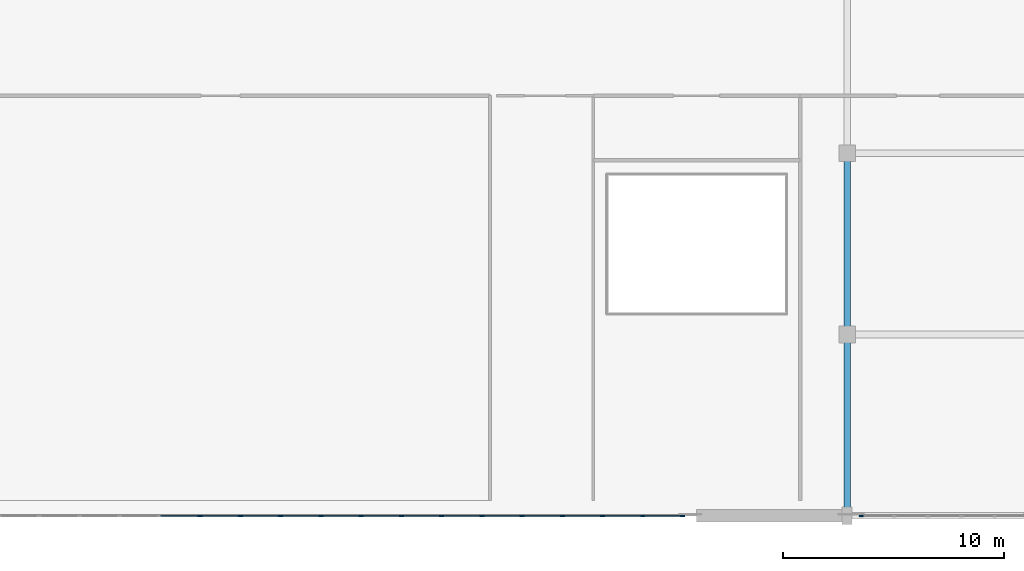
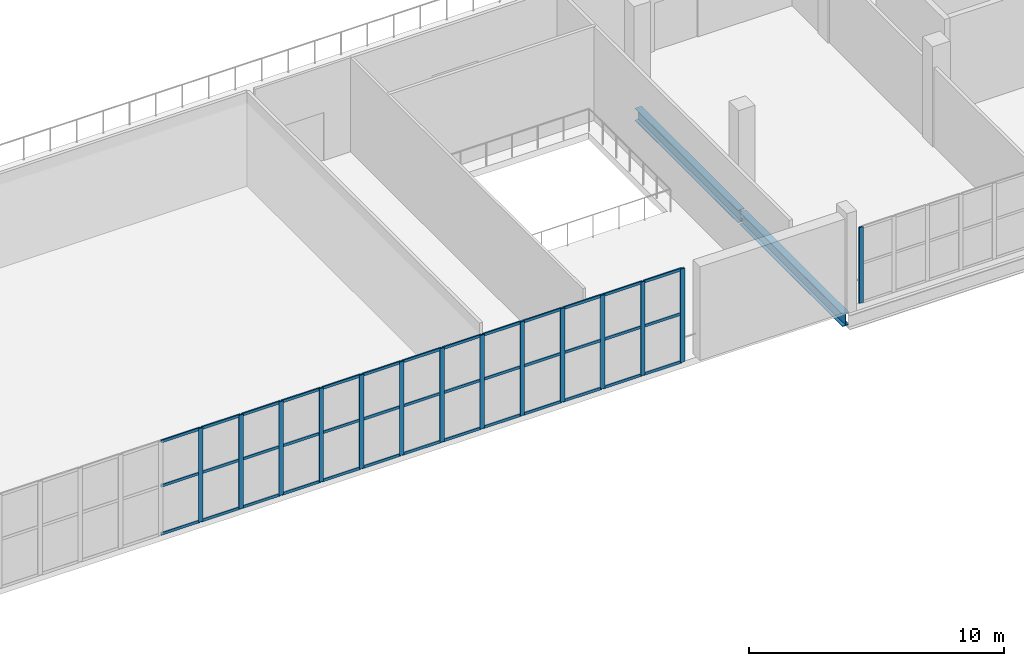
# One storey, part 32 of 129: 53 members, 2 beams, 2 elements without a shape of their own.
"""IFC4 building model written with IfcOpenShell, lengths in metres."""

from ifc_helpers import new_model, si_unit, direction, frame, origin, origin_2d, place, context, subcontext, project, spatial, rectangle, i_section, extrude, material, material_profile, profile_set, type_object, element, aggregate, save


model = new_model("IFC4")

# Units and contexts
model_context = context("Model", 3, precision=1e-05, world=origin(), true_north=direction((0.0, 1.0)))
body_context = subcontext(model_context, "Body", "Model", "MODEL_VIEW")
ifc_project = project(units=[si_unit("LENGTHUNIT", "METRE"), si_unit("AREAUNIT", "SQUARE_METRE"), si_unit("VOLUMEUNIT", "CUBIC_METRE"), si_unit("PLANEANGLEUNIT", "RADIAN"), si_unit("MASSUNIT", "GRAM", prefix="KILO")], contexts=[model_context])

# Site, building, storey
site_placement = place(None, origin())
site = spatial("IfcSite", under=ifc_project, at=site_placement, CompositionType="ELEMENT")
building_placement = place(site_placement, origin())
building = spatial("IfcBuilding", under=site, at=building_placement, Name="Koshinbarg Plaza Stadium", CompositionType="ELEMENT")
storey_placement = place(building_placement, frame((0.0, 0.0, 5.39990234375)))
storey = spatial("IfcBuildingStorey", under=building, at=storey_placement, Name="L01", CompositionType="ELEMENT", Elevation=5.39990234375)

# Beams
ifc_material_1 = material(Name="Steel S355", Category="steel")
ifc_material_profile_1 = material_profile(ifc_material_1, i_section(OverallWidth=0.300048828125, OverallDepth=0.60009765625, WebThickness=0.015380859375, FlangeThickness=0.030029296875, at=origin_2d()), Name="HEB 600")
ifc_profile_set_1 = profile_set([ifc_material_profile_1], Name="Steel S355")
beam_type = type_object("IfcBeamType", Name="BM-SGIR-02", PredefinedType="USERDEFINED", material=ifc_profile_set_1)
beam_1_placement = place(storey_placement, frame((162.800048828125, 0.06005859375, -0.619873046875), z_axis=(0.0, 1.0, 0.0), x_axis=(-1.0, 0.0, 0.0)))
element("IfcBeam", 1, at=beam_1_placement, inside=storey, type_object=beam_type, Name="L01 Y girder 15/A-B", ObjectType="GIRDER", PredefinedType="USERDEFINED", context=body_context, shape_type="SweptSolid", body=[
    extrude(i_section(OverallWidth=0.300048828125, OverallDepth=0.60009765625, WebThickness=0.015380859375, FlangeThickness=0.030029296875, at=origin_2d()), origin(), (0.0, 0.0, 1.0), 8.079833984375),
])
beam_2_placement = place(storey_placement, frame((162.800048828125, 8.260009765625, -0.619873046875), z_axis=(0.0, 1.0, 0.0), x_axis=(-1.0, 0.0, 0.0)))
element("IfcBeam", 2, at=beam_2_placement, inside=storey, type_object=beam_type, Name="L01 Y girder 15/B-C", ObjectType="GIRDER", PredefinedType="USERDEFINED", context=body_context, shape_type="SweptSolid", body=[
    extrude(i_section(OverallWidth=0.300048828125, OverallDepth=0.60009765625, WebThickness=0.015380859375, FlangeThickness=0.030029296875, at=origin_2d()), origin(), (0.0, 0.0, 1.0), 8.080078125),
])

# Curtain wall, member
ifc_material_2 = material(Name="Thermally broken anodised aluminium and low-E double glazing", Category="aluminium")
curtain_wall_type_1 = type_object("IfcCurtainWallType", Name="CW-SYS-15", PredefinedType="NOTDEFINED", material=ifc_material_2)
curtain_wall_1_placement = place(storey_placement, origin())
curtain_wall_1 = element("IfcCurtainWall", 3, at=curtain_wall_1_placement, inside=storey, type_object=curtain_wall_type_1, Name="L01 unitised curtain wall CW-L01-030", PredefinedType="NOTDEFINED")
ifc_material_3 = material(Name="Anodised aluminium mullion", Category="aluminium")
ifc_material_profile_2 = material_profile(ifc_material_3, rectangle(XDim=0.070068359375, YDim=0.179931640625, at=origin_2d()), Name="ALU 70x180")
ifc_profile_set_2 = profile_set([ifc_material_profile_2], Name="Anodised aluminium mullion")
member_type_1 = type_object("IfcMemberType", Name="CW-MUL-03", PredefinedType="MULLION", material=ifc_profile_set_2)
member_1_placement = place(storey_placement, frame((163.449951171875, 0.0, 0.0), z_axis=(0.0, 0.0, 1.0), x_axis=(0.0, -1.0, 0.0)))
member_1 = element("IfcMember", 4, at=member_1_placement, type_object=member_type_1, Name="CW15 mullion 6", PredefinedType="MULLION", context=body_context, shape_type="SweptSolid", body=[
    extrude(rectangle(XDim=0.070068359375, YDim=0.179931640625, at=origin_2d()), origin(), (0.0, 0.0, 1.0), 3.630126953125),
])
aggregate(curtain_wall_1, [member_1])

# Curtain wall, members
curtain_wall_type_2 = type_object("IfcCurtainWallType", Name="CW-SYS-16", PredefinedType="NOTDEFINED", material=ifc_material_2)
curtain_wall_2_placement = place(storey_placement, origin())
curtain_wall_2 = element("IfcCurtainWall", 5, at=curtain_wall_2_placement, inside=storey, type_object=curtain_wall_type_2, Name="L01 unitised curtain wall CW-L01-031", PredefinedType="NOTDEFINED")
ifc_material_profile_3 = material_profile(ifc_material_3, rectangle(XDim=0.070068359375, YDim=0.199951171875, at=origin_2d()), Name="ALU 70x200")
ifc_profile_set_3 = profile_set([ifc_material_profile_3], Name="Anodised aluminium mullion")
member_type_2 = type_object("IfcMemberType", Name="CW-MUL-04", PredefinedType="MULLION", material=ifc_profile_set_3)
member_2_placement = place(storey_placement, frame((155.35009765625, 0.0, 0.0), z_axis=(0.0, 0.0, 1.0), x_axis=(0.0, -1.0, 0.0)))
member_2 = element("IfcMember", 6, at=member_2_placement, type_object=member_type_2, Name="CW16 mullion 1", PredefinedType="MULLION", context=body_context, shape_type="SweptSolid", body=[
    extrude(rectangle(XDim=0.070068359375, YDim=0.199951171875, at=origin_2d()), origin(), (0.0, 0.0, 1.0), 4.47998046875),
])
member_3_placement = place(storey_placement, frame((153.56005859375, 0.0, 0.0), z_axis=(0.0, 0.0, 1.0), x_axis=(0.0, -1.0, 0.0)))
member_3 = element("IfcMember", 7, at=member_3_placement, type_object=member_type_2, Name="CW16 mullion 2", PredefinedType="MULLION", context=body_context, shape_type="SweptSolid", body=[
    extrude(rectangle(XDim=0.070068359375, YDim=0.199951171875, at=origin_2d()), origin(), (0.0, 0.0, 1.0), 4.47998046875),
])
member_4_placement = place(storey_placement, frame((151.739990234375, 0.0, 0.0), z_axis=(0.0, 0.0, 1.0), x_axis=(0.0, -1.0, 0.0)))
member_4 = element("IfcMember", 8, at=member_4_placement, type_object=member_type_2, Name="CW16 mullion 3", PredefinedType="MULLION", context=body_context, shape_type="SweptSolid", body=[
    extrude(rectangle(XDim=0.070068359375, YDim=0.199951171875, at=origin_2d()), origin(), (0.0, 0.0, 1.0), 4.47998046875),
])
member_5_placement = place(storey_placement, frame((149.919921875, 0.0, 0.0), z_axis=(0.0, 0.0, 1.0), x_axis=(0.0, -1.0, 0.0)))
member_5 = element("IfcMember", 9, at=member_5_placement, type_object=member_type_2, Name="CW16 mullion 4", PredefinedType="MULLION", context=body_context, shape_type="SweptSolid", body=[
    extrude(rectangle(XDim=0.070068359375, YDim=0.199951171875, at=origin_2d()), origin(), (0.0, 0.0, 1.0), 4.47998046875),
])
member_6_placement = place(storey_placement, frame((148.10009765625, 0.0, 0.0), z_axis=(0.0, 0.0, 1.0), x_axis=(0.0, -1.0, 0.0)))
member_6 = element("IfcMember", 10, at=member_6_placement, type_object=member_type_2, Name="CW16 mullion 5", PredefinedType="MULLION", context=body_context, shape_type="SweptSolid", body=[
    extrude(rectangle(XDim=0.070068359375, YDim=0.199951171875, at=origin_2d()), origin(), (0.0, 0.0, 1.0), 4.47998046875),
])
member_7_placement = place(storey_placement, frame((146.280029296875, 0.0, 0.0), z_axis=(0.0, 0.0, 1.0), x_axis=(0.0, -1.0, 0.0)))
member_7 = element("IfcMember", 11, at=member_7_placement, type_object=member_type_2, Name="CW16 mullion 6", PredefinedType="MULLION", context=body_context, shape_type="SweptSolid", body=[
    extrude(rectangle(XDim=0.070068359375, YDim=0.199951171875, at=origin_2d()), origin(), (0.0, 0.0, 1.0), 4.47998046875),
])
member_8_placement = place(storey_placement, frame((144.4599609375, 0.0, 0.0), z_axis=(0.0, 0.0, 1.0), x_axis=(0.0, -1.0, 0.0)))
member_8 = element("IfcMember", 12, at=member_8_placement, type_object=member_type_2, Name="CW16 mullion 7", PredefinedType="MULLION", context=body_context, shape_type="SweptSolid", body=[
    extrude(rectangle(XDim=0.070068359375, YDim=0.199951171875, at=origin_2d()), origin(), (0.0, 0.0, 1.0), 4.47998046875),
])
member_9_placement = place(storey_placement, frame((142.639892578125, 0.0, 0.0), z_axis=(0.0, 0.0, 1.0), x_axis=(0.0, -1.0, 0.0)))
member_9 = element("IfcMember", 13, at=member_9_placement, type_object=member_type_2, Name="CW16 mullion 8", PredefinedType="MULLION", context=body_context, shape_type="SweptSolid", body=[
    extrude(rectangle(XDim=0.070068359375, YDim=0.199951171875, at=origin_2d()), origin(), (0.0, 0.0, 1.0), 4.47998046875),
])
member_10_placement = place(storey_placement, frame((140.820068359375, 0.0, 0.0), z_axis=(0.0, 0.0, 1.0), x_axis=(0.0, -1.0, 0.0)))
member_10 = element("IfcMember", 14, at=member_10_placement, type_object=member_type_2, Name="CW16 mullion 9", PredefinedType="MULLION", context=body_context, shape_type="SweptSolid", body=[
    extrude(rectangle(XDim=0.070068359375, YDim=0.199951171875, at=origin_2d()), origin(), (0.0, 0.0, 1.0), 4.47998046875),
])
member_11_placement = place(storey_placement, frame((139.0, 0.0, 0.0), z_axis=(0.0, 0.0, 1.0), x_axis=(0.0, -1.0, 0.0)))
member_11 = element("IfcMember", 15, at=member_11_placement, type_object=member_type_2, Name="CW16 mullion 10", PredefinedType="MULLION", context=body_context, shape_type="SweptSolid", body=[
    extrude(rectangle(XDim=0.070068359375, YDim=0.199951171875, at=origin_2d()), origin(), (0.0, 0.0, 1.0), 4.47998046875),
])
member_12_placement = place(storey_placement, frame((137.179931640625, 0.0, 0.0), z_axis=(0.0, 0.0, 1.0), x_axis=(0.0, -1.0, 0.0)))
member_12 = element("IfcMember", 16, at=member_12_placement, type_object=member_type_2, Name="CW16 mullion 11", PredefinedType="MULLION", context=body_context, shape_type="SweptSolid", body=[
    extrude(rectangle(XDim=0.070068359375, YDim=0.199951171875, at=origin_2d()), origin(), (0.0, 0.0, 1.0), 4.47998046875),
])
member_13_placement = place(storey_placement, frame((135.360107421875, 0.0, 0.0), z_axis=(0.0, 0.0, 1.0), x_axis=(0.0, -1.0, 0.0)))
member_13 = element("IfcMember", 17, at=member_13_placement, type_object=member_type_2, Name="CW16 mullion 12", PredefinedType="MULLION", context=body_context, shape_type="SweptSolid", body=[
    extrude(rectangle(XDim=0.070068359375, YDim=0.199951171875, at=origin_2d()), origin(), (0.0, 0.0, 1.0), 4.47998046875),
])
member_14_placement = place(storey_placement, frame((133.5400390625, 0.0, 0.0), z_axis=(0.0, 0.0, 1.0), x_axis=(0.0, -1.0, 0.0)))
member_14 = element("IfcMember", 18, at=member_14_placement, type_object=member_type_2, Name="CW16 mullion 13", PredefinedType="MULLION", context=body_context, shape_type="SweptSolid", body=[
    extrude(rectangle(XDim=0.070068359375, YDim=0.199951171875, at=origin_2d()), origin(), (0.0, 0.0, 1.0), 4.47998046875),
])
ifc_material_4 = material(Name="Anodised aluminium transom", Category="aluminium")
ifc_material_profile_4 = material_profile(ifc_material_4, rectangle(XDim=0.06005859375, YDim=0.1298828125, at=origin_2d()), Name="ALU 60x130")
ifc_profile_set_4 = profile_set([ifc_material_profile_4], Name="Anodised aluminium transom")
member_type_3 = type_object("IfcMemberType", Name="CW-TRN-02", PredefinedType="USERDEFINED", material=ifc_profile_set_4)
member_15_placement = place(storey_placement, frame((155.320068359375, 0.0, 0.030029296875), z_axis=(-1.0, 0.0, 0.0), x_axis=(0.0, -1.0, 0.0)))
member_15 = element("IfcMember", 19, at=member_15_placement, type_object=member_type_3, Name="CW16 transom 1.1", ObjectType="TRANSOM", PredefinedType="USERDEFINED", context=body_context, shape_type="SweptSolid", body=[
    extrude(rectangle(XDim=0.06005859375, YDim=0.1298828125, at=origin_2d()), origin(), (0.0, 0.0, 1.0), 1.72998046875),
])
member_16_placement = place(storey_placement, frame((155.320068359375, 0.0, 2.32958984375), z_axis=(-1.0, 0.0, 0.0), x_axis=(0.0, -1.0, 0.0)))
member_16 = element("IfcMember", 20, at=member_16_placement, type_object=member_type_3, Name="CW16 transom 1.2", ObjectType="TRANSOM", PredefinedType="USERDEFINED", context=body_context, shape_type="SweptSolid", body=[
    extrude(rectangle(XDim=0.06005859375, YDim=0.1298828125, at=origin_2d()), origin(), (0.0, 0.0, 1.0), 1.72998046875),
])
member_17_placement = place(storey_placement, frame((155.320068359375, 0.0, 4.4501953125), z_axis=(-1.0, 0.0, 0.0), x_axis=(0.0, -1.0, 0.0)))
member_17 = element("IfcMember", 21, at=member_17_placement, type_object=member_type_3, Name="CW16 transom 1.3", ObjectType="TRANSOM", PredefinedType="USERDEFINED", context=body_context, shape_type="SweptSolid", body=[
    extrude(rectangle(XDim=0.06005859375, YDim=0.1298828125, at=origin_2d()), origin(), (0.0, 0.0, 1.0), 1.72998046875),
])
member_18_placement = place(storey_placement, frame((153.530029296875, 0.0, 0.030029296875), z_axis=(-1.0, 0.0, 0.0), x_axis=(0.0, -1.0, 0.0)))
member_18 = element("IfcMember", 22, at=member_18_placement, type_object=member_type_3, Name="CW16 transom 2.1", ObjectType="TRANSOM", PredefinedType="USERDEFINED", context=body_context, shape_type="SweptSolid", body=[
    extrude(rectangle(XDim=0.06005859375, YDim=0.1298828125, at=origin_2d()), origin(), (0.0, 0.0, 1.0), 1.760009765625),
])
member_19_placement = place(storey_placement, frame((153.530029296875, 0.0, 2.32958984375), z_axis=(-1.0, 0.0, 0.0), x_axis=(0.0, -1.0, 0.0)))
member_19 = element("IfcMember", 23, at=member_19_placement, type_object=member_type_3, Name="CW16 transom 2.2", ObjectType="TRANSOM", PredefinedType="USERDEFINED", context=body_context, shape_type="SweptSolid", body=[
    extrude(rectangle(XDim=0.06005859375, YDim=0.1298828125, at=origin_2d()), origin(), (0.0, 0.0, 1.0), 1.760009765625),
])
member_20_placement = place(storey_placement, frame((153.530029296875, 0.0, 4.4501953125), z_axis=(-1.0, 0.0, 0.0), x_axis=(0.0, -1.0, 0.0)))
member_20 = element("IfcMember", 24, at=member_20_placement, type_object=member_type_3, Name="CW16 transom 2.3", ObjectType="TRANSOM", PredefinedType="USERDEFINED", context=body_context, shape_type="SweptSolid", body=[
    extrude(rectangle(XDim=0.06005859375, YDim=0.1298828125, at=origin_2d()), origin(), (0.0, 0.0, 1.0), 1.760009765625),
])
member_21_placement = place(storey_placement, frame((151.7099609375, 0.0, 0.030029296875), z_axis=(-1.0, 0.0, 0.0), x_axis=(0.0, -1.0, 0.0)))
member_21 = element("IfcMember", 25, at=member_21_placement, type_object=member_type_3, Name="CW16 transom 3.1", ObjectType="TRANSOM", PredefinedType="USERDEFINED", context=body_context, shape_type="SweptSolid", body=[
    extrude(rectangle(XDim=0.06005859375, YDim=0.1298828125, at=origin_2d()), origin(), (0.0, 0.0, 1.0), 1.760009765625),
])
member_22_placement = place(storey_placement, frame((151.7099609375, 0.0, 2.32958984375), z_axis=(-1.0, 0.0, 0.0), x_axis=(0.0, -1.0, 0.0)))
member_22 = element("IfcMember", 26, at=member_22_placement, type_object=member_type_3, Name="CW16 transom 3.2", ObjectType="TRANSOM", PredefinedType="USERDEFINED", context=body_context, shape_type="SweptSolid", body=[
    extrude(rectangle(XDim=0.06005859375, YDim=0.1298828125, at=origin_2d()), origin(), (0.0, 0.0, 1.0), 1.760009765625),
])
member_23_placement = place(storey_placement, frame((151.7099609375, 0.0, 4.4501953125), z_axis=(-1.0, 0.0, 0.0), x_axis=(0.0, -1.0, 0.0)))
member_23 = element("IfcMember", 27, at=member_23_placement, type_object=member_type_3, Name="CW16 transom 3.3", ObjectType="TRANSOM", PredefinedType="USERDEFINED", context=body_context, shape_type="SweptSolid", body=[
    extrude(rectangle(XDim=0.06005859375, YDim=0.1298828125, at=origin_2d()), origin(), (0.0, 0.0, 1.0), 1.760009765625),
])
member_24_placement = place(storey_placement, frame((149.889892578125, 0.0, 0.030029296875), z_axis=(-1.0, 0.0, 0.0), x_axis=(0.0, -1.0, 0.0)))
member_24 = element("IfcMember", 28, at=member_24_placement, type_object=member_type_3, Name="CW16 transom 4.1", ObjectType="TRANSOM", PredefinedType="USERDEFINED", context=body_context, shape_type="SweptSolid", body=[
    extrude(rectangle(XDim=0.06005859375, YDim=0.1298828125, at=origin_2d()), origin(), (0.0, 0.0, 1.0), 1.760009765625),
])
member_25_placement = place(storey_placement, frame((149.889892578125, 0.0, 2.32958984375), z_axis=(-1.0, 0.0, 0.0), x_axis=(0.0, -1.0, 0.0)))
member_25 = element("IfcMember", 29, at=member_25_placement, type_object=member_type_3, Name="CW16 transom 4.2", ObjectType="TRANSOM", PredefinedType="USERDEFINED", context=body_context, shape_type="SweptSolid", body=[
    extrude(rectangle(XDim=0.06005859375, YDim=0.1298828125, at=origin_2d()), origin(), (0.0, 0.0, 1.0), 1.760009765625),
])
member_26_placement = place(storey_placement, frame((149.889892578125, 0.0, 4.4501953125), z_axis=(-1.0, 0.0, 0.0), x_axis=(0.0, -1.0, 0.0)))
member_26 = element("IfcMember", 30, at=member_26_placement, type_object=member_type_3, Name="CW16 transom 4.3", ObjectType="TRANSOM", PredefinedType="USERDEFINED", context=body_context, shape_type="SweptSolid", body=[
    extrude(rectangle(XDim=0.06005859375, YDim=0.1298828125, at=origin_2d()), origin(), (0.0, 0.0, 1.0), 1.760009765625),
])
member_27_placement = place(storey_placement, frame((148.070068359375, 0.0, 0.030029296875), z_axis=(-1.0, 0.0, 0.0), x_axis=(0.0, -1.0, 0.0)))
member_27 = element("IfcMember", 31, at=member_27_placement, type_object=member_type_3, Name="CW16 transom 5.1", ObjectType="TRANSOM", PredefinedType="USERDEFINED", context=body_context, shape_type="SweptSolid", body=[
    extrude(rectangle(XDim=0.06005859375, YDim=0.1298828125, at=origin_2d()), origin(), (0.0, 0.0, 1.0), 1.760009765625),
])
member_28_placement = place(storey_placement, frame((148.070068359375, 0.0, 2.32958984375), z_axis=(-1.0, 0.0, 0.0), x_axis=(0.0, -1.0, 0.0)))
member_28 = element("IfcMember", 32, at=member_28_placement, type_object=member_type_3, Name="CW16 transom 5.2", ObjectType="TRANSOM", PredefinedType="USERDEFINED", context=body_context, shape_type="SweptSolid", body=[
    extrude(rectangle(XDim=0.06005859375, YDim=0.1298828125, at=origin_2d()), origin(), (0.0, 0.0, 1.0), 1.760009765625),
])
member_29_placement = place(storey_placement, frame((148.070068359375, 0.0, 4.4501953125), z_axis=(-1.0, 0.0, 0.0), x_axis=(0.0, -1.0, 0.0)))
member_29 = element("IfcMember", 33, at=member_29_placement, type_object=member_type_3, Name="CW16 transom 5.3", ObjectType="TRANSOM", PredefinedType="USERDEFINED", context=body_context, shape_type="SweptSolid", body=[
    extrude(rectangle(XDim=0.06005859375, YDim=0.1298828125, at=origin_2d()), origin(), (0.0, 0.0, 1.0), 1.760009765625),
])
member_30_placement = place(storey_placement, frame((146.25, 0.0, 0.030029296875), z_axis=(-1.0, 0.0, 0.0), x_axis=(0.0, -1.0, 0.0)))
member_30 = element("IfcMember", 34, at=member_30_placement, type_object=member_type_3, Name="CW16 transom 6.1", ObjectType="TRANSOM", PredefinedType="USERDEFINED", context=body_context, shape_type="SweptSolid", body=[
    extrude(rectangle(XDim=0.06005859375, YDim=0.1298828125, at=origin_2d()), origin(), (0.0, 0.0, 1.0), 1.760009765625),
])
member_31_placement = place(storey_placement, frame((146.25, 0.0, 2.32958984375), z_axis=(-1.0, 0.0, 0.0), x_axis=(0.0, -1.0, 0.0)))
member_31 = element("IfcMember", 35, at=member_31_placement, type_object=member_type_3, Name="CW16 transom 6.2", ObjectType="TRANSOM", PredefinedType="USERDEFINED", context=body_context, shape_type="SweptSolid", body=[
    extrude(rectangle(XDim=0.06005859375, YDim=0.1298828125, at=origin_2d()), origin(), (0.0, 0.0, 1.0), 1.760009765625),
])
member_32_placement = place(storey_placement, frame((146.25, 0.0, 4.4501953125), z_axis=(-1.0, 0.0, 0.0), x_axis=(0.0, -1.0, 0.0)))
member_32 = element("IfcMember", 36, at=member_32_placement, type_object=member_type_3, Name="CW16 transom 6.3", ObjectType="TRANSOM", PredefinedType="USERDEFINED", context=body_context, shape_type="SweptSolid", body=[
    extrude(rectangle(XDim=0.06005859375, YDim=0.1298828125, at=origin_2d()), origin(), (0.0, 0.0, 1.0), 1.760009765625),
])
member_33_placement = place(storey_placement, frame((144.429931640625, 0.0, 0.030029296875), z_axis=(-1.0, 0.0, 0.0), x_axis=(0.0, -1.0, 0.0)))
member_33 = element("IfcMember", 37, at=member_33_placement, type_object=member_type_3, Name="CW16 transom 7.1", ObjectType="TRANSOM", PredefinedType="USERDEFINED", context=body_context, shape_type="SweptSolid", body=[
    extrude(rectangle(XDim=0.06005859375, YDim=0.1298828125, at=origin_2d()), origin(), (0.0, 0.0, 1.0), 1.760009765625),
])
member_34_placement = place(storey_placement, frame((144.429931640625, 0.0, 2.32958984375), z_axis=(-1.0, 0.0, 0.0), x_axis=(0.0, -1.0, 0.0)))
member_34 = element("IfcMember", 38, at=member_34_placement, type_object=member_type_3, Name="CW16 transom 7.2", ObjectType="TRANSOM", PredefinedType="USERDEFINED", context=body_context, shape_type="SweptSolid", body=[
    extrude(rectangle(XDim=0.06005859375, YDim=0.1298828125, at=origin_2d()), origin(), (0.0, 0.0, 1.0), 1.760009765625),
])
member_35_placement = place(storey_placement, frame((144.429931640625, 0.0, 4.4501953125), z_axis=(-1.0, 0.0, 0.0), x_axis=(0.0, -1.0, 0.0)))
member_35 = element("IfcMember", 39, at=member_35_placement, type_object=member_type_3, Name="CW16 transom 7.3", ObjectType="TRANSOM", PredefinedType="USERDEFINED", context=body_context, shape_type="SweptSolid", body=[
    extrude(rectangle(XDim=0.06005859375, YDim=0.1298828125, at=origin_2d()), origin(), (0.0, 0.0, 1.0), 1.760009765625),
])
member_36_placement = place(storey_placement, frame((142.610107421875, 0.0, 0.030029296875), z_axis=(-1.0, 0.0, 0.0), x_axis=(0.0, -1.0, 0.0)))
member_36 = element("IfcMember", 40, at=member_36_placement, type_object=member_type_3, Name="CW16 transom 8.1", ObjectType="TRANSOM", PredefinedType="USERDEFINED", context=body_context, shape_type="SweptSolid", body=[
    extrude(rectangle(XDim=0.06005859375, YDim=0.1298828125, at=origin_2d()), origin(), (0.0, 0.0, 1.0), 1.760009765625),
])
member_37_placement = place(storey_placement, frame((142.610107421875, 0.0, 2.32958984375), z_axis=(-1.0, 0.0, 0.0), x_axis=(0.0, -1.0, 0.0)))
member_37 = element("IfcMember", 41, at=member_37_placement, type_object=member_type_3, Name="CW16 transom 8.2", ObjectType="TRANSOM", PredefinedType="USERDEFINED", context=body_context, shape_type="SweptSolid", body=[
    extrude(rectangle(XDim=0.06005859375, YDim=0.1298828125, at=origin_2d()), origin(), (0.0, 0.0, 1.0), 1.760009765625),
])
member_38_placement = place(storey_placement, frame((142.610107421875, 0.0, 4.4501953125), z_axis=(-1.0, 0.0, 0.0), x_axis=(0.0, -1.0, 0.0)))
member_38 = element("IfcMember", 42, at=member_38_placement, type_object=member_type_3, Name="CW16 transom 8.3", ObjectType="TRANSOM", PredefinedType="USERDEFINED", context=body_context, shape_type="SweptSolid", body=[
    extrude(rectangle(XDim=0.06005859375, YDim=0.1298828125, at=origin_2d()), origin(), (0.0, 0.0, 1.0), 1.760009765625),
])
member_39_placement = place(storey_placement, frame((140.7900390625, 0.0, 0.030029296875), z_axis=(-1.0, 0.0, 0.0), x_axis=(0.0, -1.0, 0.0)))
member_39 = element("IfcMember", 43, at=member_39_placement, type_object=member_type_3, Name="CW16 transom 9.1", ObjectType="TRANSOM", PredefinedType="USERDEFINED", context=body_context, shape_type="SweptSolid", body=[
    extrude(rectangle(XDim=0.06005859375, YDim=0.1298828125, at=origin_2d()), origin(), (0.0, 0.0, 1.0), 1.760009765625),
])
member_40_placement = place(storey_placement, frame((140.7900390625, 0.0, 2.32958984375), z_axis=(-1.0, 0.0, 0.0), x_axis=(0.0, -1.0, 0.0)))
member_40 = element("IfcMember", 44, at=member_40_placement, type_object=member_type_3, Name="CW16 transom 9.2", ObjectType="TRANSOM", PredefinedType="USERDEFINED", context=body_context, shape_type="SweptSolid", body=[
    extrude(rectangle(XDim=0.06005859375, YDim=0.1298828125, at=origin_2d()), origin(), (0.0, 0.0, 1.0), 1.760009765625),
])
member_41_placement = place(storey_placement, frame((140.7900390625, 0.0, 4.4501953125), z_axis=(-1.0, 0.0, 0.0), x_axis=(0.0, -1.0, 0.0)))
member_41 = element("IfcMember", 45, at=member_41_placement, type_object=member_type_3, Name="CW16 transom 9.3", ObjectType="TRANSOM", PredefinedType="USERDEFINED", context=body_context, shape_type="SweptSolid", body=[
    extrude(rectangle(XDim=0.06005859375, YDim=0.1298828125, at=origin_2d()), origin(), (0.0, 0.0, 1.0), 1.760009765625),
])
member_42_placement = place(storey_placement, frame((138.969970703125, 0.0, 0.030029296875), z_axis=(-1.0, 0.0, 0.0), x_axis=(0.0, -1.0, 0.0)))
member_42 = element("IfcMember", 46, at=member_42_placement, type_object=member_type_3, Name="CW16 transom 10.1", ObjectType="TRANSOM", PredefinedType="USERDEFINED", context=body_context, shape_type="SweptSolid", body=[
    extrude(rectangle(XDim=0.06005859375, YDim=0.1298828125, at=origin_2d()), origin(), (0.0, 0.0, 1.0), 1.760009765625),
])
member_43_placement = place(storey_placement, frame((138.969970703125, 0.0, 2.32958984375), z_axis=(-1.0, 0.0, 0.0), x_axis=(0.0, -1.0, 0.0)))
member_43 = element("IfcMember", 47, at=member_43_placement, type_object=member_type_3, Name="CW16 transom 10.2", ObjectType="TRANSOM", PredefinedType="USERDEFINED", context=body_context, shape_type="SweptSolid", body=[
    extrude(rectangle(XDim=0.06005859375, YDim=0.1298828125, at=origin_2d()), origin(), (0.0, 0.0, 1.0), 1.760009765625),
])
member_44_placement = place(storey_placement, frame((138.969970703125, 0.0, 4.4501953125), z_axis=(-1.0, 0.0, 0.0), x_axis=(0.0, -1.0, 0.0)))
member_44 = element("IfcMember", 48, at=member_44_placement, type_object=member_type_3, Name="CW16 transom 10.3", ObjectType="TRANSOM", PredefinedType="USERDEFINED", context=body_context, shape_type="SweptSolid", body=[
    extrude(rectangle(XDim=0.06005859375, YDim=0.1298828125, at=origin_2d()), origin(), (0.0, 0.0, 1.0), 1.760009765625),
])
member_45_placement = place(storey_placement, frame((137.14990234375, 0.0, 0.030029296875), z_axis=(-1.0, 0.0, 0.0), x_axis=(0.0, -1.0, 0.0)))
member_45 = element("IfcMember", 49, at=member_45_placement, type_object=member_type_3, Name="CW16 transom 11.1", ObjectType="TRANSOM", PredefinedType="USERDEFINED", context=body_context, shape_type="SweptSolid", body=[
    extrude(rectangle(XDim=0.06005859375, YDim=0.1298828125, at=origin_2d()), origin(), (0.0, 0.0, 1.0), 1.760009765625),
])
member_46_placement = place(storey_placement, frame((137.14990234375, 0.0, 2.32958984375), z_axis=(-1.0, 0.0, 0.0), x_axis=(0.0, -1.0, 0.0)))
member_46 = element("IfcMember", 50, at=member_46_placement, type_object=member_type_3, Name="CW16 transom 11.2", ObjectType="TRANSOM", PredefinedType="USERDEFINED", context=body_context, shape_type="SweptSolid", body=[
    extrude(rectangle(XDim=0.06005859375, YDim=0.1298828125, at=origin_2d()), origin(), (0.0, 0.0, 1.0), 1.760009765625),
])
member_47_placement = place(storey_placement, frame((137.14990234375, 0.0, 4.4501953125), z_axis=(-1.0, 0.0, 0.0), x_axis=(0.0, -1.0, 0.0)))
member_47 = element("IfcMember", 51, at=member_47_placement, type_object=member_type_3, Name="CW16 transom 11.3", ObjectType="TRANSOM", PredefinedType="USERDEFINED", context=body_context, shape_type="SweptSolid", body=[
    extrude(rectangle(XDim=0.06005859375, YDim=0.1298828125, at=origin_2d()), origin(), (0.0, 0.0, 1.0), 1.760009765625),
])
member_48_placement = place(storey_placement, frame((135.330078125, 0.0, 0.030029296875), z_axis=(-1.0, 0.0, 0.0), x_axis=(0.0, -1.0, 0.0)))
member_48 = element("IfcMember", 52, at=member_48_placement, type_object=member_type_3, Name="CW16 transom 12.1", ObjectType="TRANSOM", PredefinedType="USERDEFINED", context=body_context, shape_type="SweptSolid", body=[
    extrude(rectangle(XDim=0.06005859375, YDim=0.1298828125, at=origin_2d()), origin(), (0.0, 0.0, 1.0), 1.760009765625),
])
member_49_placement = place(storey_placement, frame((135.330078125, 0.0, 2.32958984375), z_axis=(-1.0, 0.0, 0.0), x_axis=(0.0, -1.0, 0.0)))
member_49 = element("IfcMember", 53, at=member_49_placement, type_object=member_type_3, Name="CW16 transom 12.2", ObjectType="TRANSOM", PredefinedType="USERDEFINED", context=body_context, shape_type="SweptSolid", body=[
    extrude(rectangle(XDim=0.06005859375, YDim=0.1298828125, at=origin_2d()), origin(), (0.0, 0.0, 1.0), 1.760009765625),
])
member_50_placement = place(storey_placement, frame((135.330078125, 0.0, 4.4501953125), z_axis=(-1.0, 0.0, 0.0), x_axis=(0.0, -1.0, 0.0)))
member_50 = element("IfcMember", 54, at=member_50_placement, type_object=member_type_3, Name="CW16 transom 12.3", ObjectType="TRANSOM", PredefinedType="USERDEFINED", context=body_context, shape_type="SweptSolid", body=[
    extrude(rectangle(XDim=0.06005859375, YDim=0.1298828125, at=origin_2d()), origin(), (0.0, 0.0, 1.0), 1.760009765625),
])
member_51_placement = place(storey_placement, frame((133.510009765625, 0.0, 0.030029296875), z_axis=(-1.0, 0.0, 0.0), x_axis=(0.0, -1.0, 0.0)))
member_51 = element("IfcMember", 55, at=member_51_placement, type_object=member_type_3, Name="CW16 transom 13.1", ObjectType="TRANSOM", PredefinedType="USERDEFINED", context=body_context, shape_type="SweptSolid", body=[
    extrude(rectangle(XDim=0.06005859375, YDim=0.1298828125, at=origin_2d()), origin(), (0.0, 0.0, 1.0), 1.760009765625),
])
member_52_placement = place(storey_placement, frame((133.510009765625, 0.0, 2.32958984375), z_axis=(-1.0, 0.0, 0.0), x_axis=(0.0, -1.0, 0.0)))
member_52 = element("IfcMember", 56, at=member_52_placement, type_object=member_type_3, Name="CW16 transom 13.2", ObjectType="TRANSOM", PredefinedType="USERDEFINED", context=body_context, shape_type="SweptSolid", body=[
    extrude(rectangle(XDim=0.06005859375, YDim=0.1298828125, at=origin_2d()), origin(), (0.0, 0.0, 1.0), 1.760009765625),
])
member_53_placement = place(storey_placement, frame((133.510009765625, 0.0, 4.4501953125), z_axis=(-1.0, 0.0, 0.0), x_axis=(0.0, -1.0, 0.0)))
member_53 = element("IfcMember", 57, at=member_53_placement, type_object=member_type_3, Name="CW16 transom 13.3", ObjectType="TRANSOM", PredefinedType="USERDEFINED", context=body_context, shape_type="SweptSolid", body=[
    extrude(rectangle(XDim=0.06005859375, YDim=0.1298828125, at=origin_2d()), origin(), (0.0, 0.0, 1.0), 1.760009765625),
])
aggregate(curtain_wall_2, [member_2, member_3, member_4, member_5, member_6, member_7, member_8, member_9, member_10, member_11, member_12, member_13, member_14, member_15, member_16, member_17, member_18, member_19, member_20, member_21, member_22, member_23, member_24, member_25, member_26, member_27, member_28, member_29, member_30, member_31, member_32, member_33, member_34, member_35, member_36, member_37, member_38, member_39, member_40, member_41, member_42, member_43, member_44, member_45, member_46, member_47, member_48, member_49, member_50, member_51, member_52, member_53])

save(model, "model.ifc")
